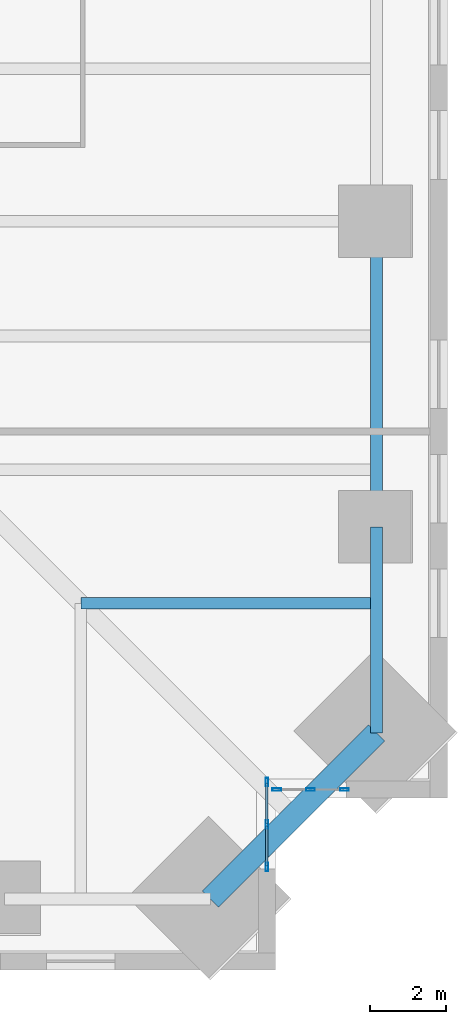
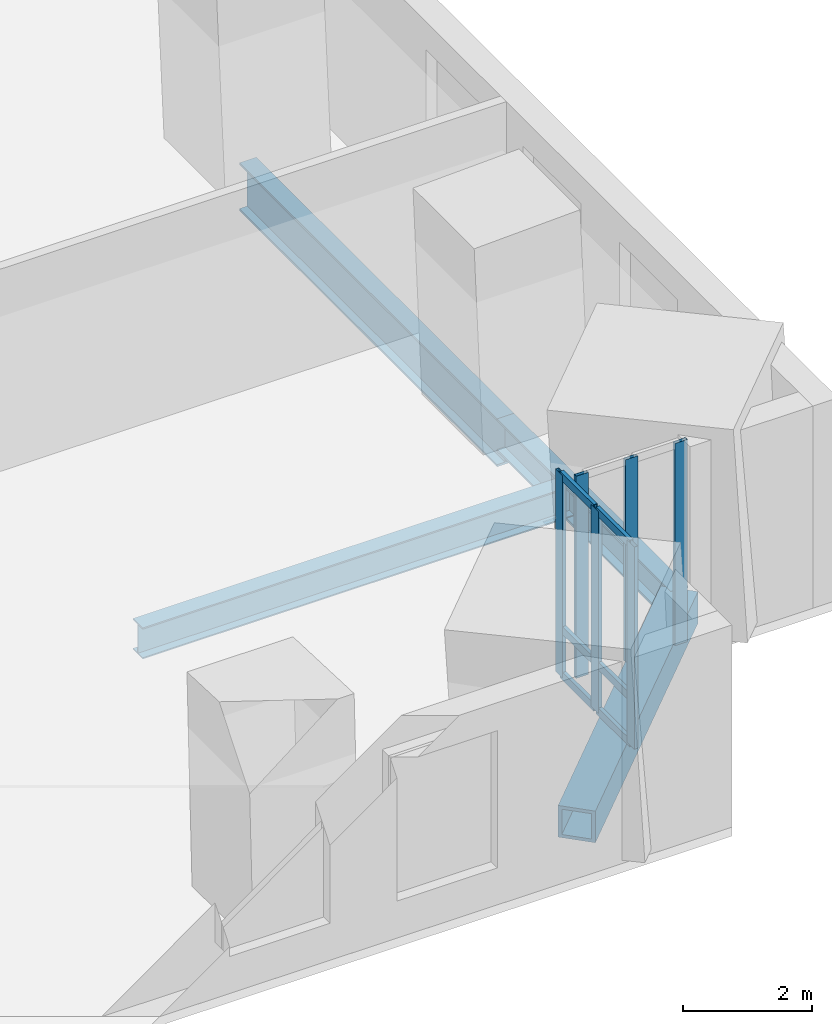
# One storey, part 4 of 16: 12 members, 4 beams, 2 elements without a shape of their own.
"""IFC4 building model written with IfcOpenShell, lengths in metres."""

from ifc_helpers import new_model, si_unit, direction, frame, origin, origin_2d, place, context, subcontext, project, spatial, hollow_rectangle, i_section, extrude, material, material_profile, profile_set, type_object, element, aggregate, save


model = new_model("IFC4")

# Units and contexts
model_context = context("Model", 3, precision=1e-05, world=origin(), true_north=direction((0.0, 1.0)))
body_context = subcontext(model_context, "Body", "Model", "MODEL_VIEW")
ifc_project = project(units=[si_unit("LENGTHUNIT", "METRE"), si_unit("AREAUNIT", "SQUARE_METRE"), si_unit("VOLUMEUNIT", "CUBIC_METRE"), si_unit("PLANEANGLEUNIT", "RADIAN"), si_unit("MASSUNIT", "GRAM", prefix="KILO")], contexts=[model_context])

# Site, building, storey
site_placement = place(None, origin())
site = spatial("IfcSite", under=ifc_project, at=site_placement, CompositionType="ELEMENT")
building_placement = place(site_placement, origin())
building = spatial("IfcBuilding", under=site, at=building_placement, Name="Peilmerk Tower", CompositionType="ELEMENT")
storey_placement = place(building_placement, frame((0.0, 0.0, 127.800048828125)))
storey = spatial("IfcBuildingStorey", under=building, at=storey_placement, Name="L25", CompositionType="ELEMENT", Elevation=127.800048828125)

# Beams
ifc_material_1 = material(Name="Steel S355", Category="steel")
ifc_material_profile_1 = material_profile(ifc_material_1, i_section(OverallWidth=0.302001953125, OverallDepth=0.909912109375, WebThickness=0.02099609375, FlangeThickness=0.0400390625, at=origin_2d()), Name="HEM 900")
ifc_profile_set_1 = profile_set([ifc_material_profile_1], Name="Steel S355")
beam_type_1 = type_object("IfcBeamType", Name="B2 HEM 900 edge beam", PredefinedType="SPANDREL", material=ifc_profile_set_1)
beam_1_placement = place(storey_placement, frame((25.74365234375, -16.0, -0.625), z_axis=(0.0, 1.0, 0.0), x_axis=(-1.0, 0.0, 0.0)))
element("IfcBeam", 1, at=beam_1_placement, inside=storey, type_object=beam_type_1, Name="Edge beam L25", PredefinedType="SPANDREL", context=body_context, shape_type="SweptSolid", body=[
    extrude(i_section(OverallWidth=0.302001953125, OverallDepth=0.909912109375, WebThickness=0.02099609375, FlangeThickness=0.0400390625, at=origin_2d()), origin(), (0.0, 0.0, 1.0), 8.0),
])
ifc_material_2 = material(Name="Steel S460", Category="steel")
ifc_material_profile_2 = material_profile(ifc_material_2, hollow_rectangle(XDim=0.60009765625, YDim=0.60009765625, WallThickness=0.06005859375, at=origin_2d()), Name="BOX 600x600x60")
ifc_profile_set_2 = profile_set([ifc_material_profile_2], Name="Steel S460")
beam_type_2 = type_object("IfcBeamType", Name="B20 BOX 600x600x60 notch beam", PredefinedType="SPANDREL", material=ifc_profile_set_2)
beam_2_placement = place(storey_placement, frame((25.74365234375, -21.3935546875, -0.469970703125), z_axis=(-0.707106781187, -0.707106781187, 0.0), x_axis=(0.707106781187, -0.707106781187, 0.0)))
element("IfcBeam", 2, at=beam_2_placement, inside=storey, type_object=beam_type_2, Name="Notch beam L25", PredefinedType="SPANDREL", context=body_context, shape_type="SweptSolid", body=[
    extrude(hollow_rectangle(XDim=0.60009765625, YDim=0.60009765625, WallThickness=0.06005859375, at=origin_2d()), origin(), (0.0, 0.0, 1.0), 6.15185546875),
])
ifc_material_profile_3 = material_profile(ifc_material_1, i_section(OverallWidth=0.300048828125, OverallDepth=0.590087890625, WebThickness=0.012939453125, FlangeThickness=0.02490234375, at=origin_2d()), Name="HEA 600")
ifc_profile_set_3 = profile_set([ifc_material_profile_3], Name="Steel S355")
beam_type_3 = type_object("IfcBeamType", Name="B27 HEA 600 floor beam", PredefinedType="BEAM", material=ifc_profile_set_3)
beam_3_placement = place(storey_placement, frame((18.0, -18.0, -0.465087890625), z_axis=(1.0, 0.0, 0.0), x_axis=(0.0, 1.0, 0.0)))
element("IfcBeam", 3, at=beam_3_placement, inside=storey, type_object=beam_type_3, Name="Floor beam L25", PredefinedType="BEAM", context=body_context, shape_type="SweptSolid", body=[
    extrude(i_section(OverallWidth=0.300048828125, OverallDepth=0.590087890625, WebThickness=0.012939453125, FlangeThickness=0.02490234375, at=origin_2d()), origin(), (0.0, 0.0, 1.0), 7.74365234375),
])
ifc_material_profile_4 = material_profile(ifc_material_1, i_section(OverallWidth=0.304931640625, OverallDepth=0.6201171875, WebThickness=0.02099609375, FlangeThickness=0.0400390625, at=origin_2d()), Name="HEM 600")
ifc_profile_set_4 = profile_set([ifc_material_profile_4], Name="Steel S355")
beam_type_4 = type_object("IfcBeamType", Name="B31 HEM 600 edge beam", PredefinedType="SPANDREL", material=ifc_profile_set_4)
beam_4_placement = place(storey_placement, frame((25.74365234375, -21.3935546875, -0.47998046875), z_axis=(0.0, 1.0, 0.0), x_axis=(-1.0, 0.0, 0.0)))
element("IfcBeam", 4, at=beam_4_placement, inside=storey, type_object=beam_type_4, Name="Edge beam L25", PredefinedType="SPANDREL", context=body_context, shape_type="SweptSolid", body=[
    extrude(i_section(OverallWidth=0.304931640625, OverallDepth=0.6201171875, WebThickness=0.02099609375, FlangeThickness=0.0400390625, at=origin_2d()), origin(), (0.0, 0.0, 1.0), 5.3935546875),
])

# Curtain wall, members
ifc_material_3 = material(Name="Aluminium stick curtain wall", Category="aluminium")
curtain_wall_type = type_object("IfcCurtainWallType", Name="CW3 stick curtain wall, 2250 module", PredefinedType="NOTDEFINED", material=ifc_material_3)
curtain_wall_1_placement = place(storey_placement, origin())
curtain_wall_1 = element("IfcCurtainWall", 5, at=curtain_wall_1_placement, inside=storey, type_object=curtain_wall_type, Name="Curtain wall CW3 SEA L25", PredefinedType="NOTDEFINED")
ifc_material_4 = material(Name="Aluminium EN AW-6063 T6", Category="aluminium")
ifc_material_profile_5 = material_profile(ifc_material_4, hollow_rectangle(XDim=0.06494140625, YDim=0.22509765625, WallThickness=0.00390625, at=origin_2d()), Name="AL 225x65x4")
ifc_profile_set_5 = profile_set([ifc_material_profile_5], Name="Aluminium EN AW-6063 T6")
member_type_1 = type_object("IfcMemberType", Name="CW3-M AL 225x65x4 mullion", PredefinedType="MULLION", material=ifc_profile_set_5)
member_1_placement = place(storey_placement, frame((22.875, -22.6826171875, 0.0), z_axis=(0.0, 0.0, 1.0), x_axis=(1.0, 0.0, 0.0)))
member_1 = element("IfcMember", 6, at=member_1_placement, type_object=member_type_1, Name="CW3 mullion 1", PredefinedType="MULLION", context=body_context, shape_type="SweptSolid", body=[
    extrude(hollow_rectangle(XDim=0.06494140625, YDim=0.22509765625, WallThickness=0.00390625, at=origin_2d()), origin(), (0.0, 0.0, 1.0), 3.829833984375),
])
member_2_placement = place(storey_placement, frame((22.875, -23.79443359375, 0.0), z_axis=(0.0, 0.0, 1.0), x_axis=(1.0, 0.0, 0.0)))
member_2 = element("IfcMember", 7, at=member_2_placement, type_object=member_type_1, Name="CW3 mullion 2", PredefinedType="MULLION", context=body_context, shape_type="SweptSolid", body=[
    extrude(hollow_rectangle(XDim=0.06494140625, YDim=0.22509765625, WallThickness=0.00390625, at=origin_2d()), origin(), (0.0, 0.0, 1.0), 3.829833984375),
])
member_3_placement = place(storey_placement, frame((22.875, -24.90625, 0.0), z_axis=(0.0, 0.0, 1.0), x_axis=(1.0, 0.0, 0.0)))
member_3 = element("IfcMember", 8, at=member_3_placement, type_object=member_type_1, Name="CW3 mullion 3", PredefinedType="MULLION", context=body_context, shape_type="SweptSolid", body=[
    extrude(hollow_rectangle(XDim=0.06494140625, YDim=0.22509765625, WallThickness=0.00390625, at=origin_2d()), origin(), (0.0, 0.0, 1.0), 3.829833984375),
])

curtain_wall_2_placement = place(storey_placement, origin())
curtain_wall_2 = element("IfcCurtainWall", 9, at=curtain_wall_2_placement, inside=storey, type_object=curtain_wall_type, Name="Curtain wall CW3 SEB L25", PredefinedType="NOTDEFINED")
member_4_placement = place(storey_placement, frame((23.132568359375, -22.875, 0.0), z_axis=(0.0, 0.0, 1.0), x_axis=(0.0, 1.0, 0.0)))
member_4 = element("IfcMember", 10, at=member_4_placement, type_object=member_type_1, Name="CW3 mullion 1", PredefinedType="MULLION", context=body_context, shape_type="SweptSolid", body=[
    extrude(hollow_rectangle(XDim=0.06494140625, YDim=0.22509765625, WallThickness=0.00390625, at=origin_2d()), origin(), (0.0, 0.0, 1.0), 3.829833984375),
])
member_5_placement = place(storey_placement, frame((24.019287109375, -22.875, 0.0), z_axis=(0.0, 0.0, 1.0), x_axis=(0.0, 1.0, 0.0)))
member_5 = element("IfcMember", 11, at=member_5_placement, type_object=member_type_1, Name="CW3 mullion 2", PredefinedType="MULLION", context=body_context, shape_type="SweptSolid", body=[
    extrude(hollow_rectangle(XDim=0.06494140625, YDim=0.22509765625, WallThickness=0.00390625, at=origin_2d()), origin(), (0.0, 0.0, 1.0), 3.829833984375),
])
member_6_placement = place(storey_placement, frame((24.90625, -22.875, 0.0), z_axis=(0.0, 0.0, 1.0), x_axis=(0.0, 1.0, 0.0)))
member_6 = element("IfcMember", 12, at=member_6_placement, type_object=member_type_1, Name="CW3 mullion 3", PredefinedType="MULLION", context=body_context, shape_type="SweptSolid", body=[
    extrude(hollow_rectangle(XDim=0.06494140625, YDim=0.22509765625, WallThickness=0.00390625, at=origin_2d()), origin(), (0.0, 0.0, 1.0), 3.829833984375),
])
aggregate(curtain_wall_2, [member_4, member_5, member_6])

# Member
ifc_material_profile_6 = material_profile(ifc_material_4, hollow_rectangle(XDim=0.06494140625, YDim=0.14990234375, WallThickness=0.0029296875, at=origin_2d()), Name="AL 150x65x3")
ifc_profile_set_6 = profile_set([ifc_material_profile_6], Name="Aluminium EN AW-6063 T6")
member_type_2 = type_object("IfcMemberType", Name="CW3-T AL 150x65x3 transom", PredefinedType="USERDEFINED", material=ifc_profile_set_6)
member_7_placement = place(storey_placement, frame((22.875, -22.715087890625, 0.032470703125), z_axis=(0.0, -1.0, 0.0), x_axis=(1.0, 0.0, 0.0)))
member_7 = element("IfcMember", 13, at=member_7_placement, type_object=member_type_2, Name="CW3 transom 1.1", ObjectType="TRANSOM", PredefinedType="USERDEFINED", context=body_context, shape_type="SweptSolid", body=[
    extrude(hollow_rectangle(XDim=0.06494140625, YDim=0.14990234375, WallThickness=0.0029296875, at=origin_2d()), origin(), (0.0, 0.0, 1.0), 1.046630859375),
])

member_8_placement = place(storey_placement, frame((22.875, -22.715087890625, 0.89990234375), z_axis=(0.0, -1.0, 0.0), x_axis=(1.0, 0.0, 0.0)))
member_8 = element("IfcMember", 14, at=member_8_placement, type_object=member_type_2, Name="CW3 transom 1.2", ObjectType="TRANSOM", PredefinedType="USERDEFINED", context=body_context, shape_type="SweptSolid", body=[
    extrude(hollow_rectangle(XDim=0.06494140625, YDim=0.14990234375, WallThickness=0.0029296875, at=origin_2d()), origin(), (0.0, 0.0, 1.0), 1.046630859375),
])

member_9_placement = place(storey_placement, frame((22.875, -22.715087890625, 3.79736328125), z_axis=(0.0, -1.0, 0.0), x_axis=(1.0, 0.0, 0.0)))
member_9 = element("IfcMember", 15, at=member_9_placement, type_object=member_type_2, Name="CW3 transom 1.3", ObjectType="TRANSOM", PredefinedType="USERDEFINED", context=body_context, shape_type="SweptSolid", body=[
    extrude(hollow_rectangle(XDim=0.06494140625, YDim=0.14990234375, WallThickness=0.0029296875, at=origin_2d()), origin(), (0.0, 0.0, 1.0), 1.046630859375),
])

member_10_placement = place(storey_placement, frame((22.875, -23.826904296875, 0.032470703125), z_axis=(0.0, -1.0, 0.0), x_axis=(1.0, 0.0, 0.0)))
member_10 = element("IfcMember", 16, at=member_10_placement, type_object=member_type_2, Name="CW3 transom 2.1", ObjectType="TRANSOM", PredefinedType="USERDEFINED", context=body_context, shape_type="SweptSolid", body=[
    extrude(hollow_rectangle(XDim=0.06494140625, YDim=0.14990234375, WallThickness=0.0029296875, at=origin_2d()), origin(), (0.0, 0.0, 1.0), 1.046875),
])

member_11_placement = place(storey_placement, frame((22.875, -23.826904296875, 0.89990234375), z_axis=(0.0, -1.0, 0.0), x_axis=(1.0, 0.0, 0.0)))
member_11 = element("IfcMember", 17, at=member_11_placement, type_object=member_type_2, Name="CW3 transom 2.2", ObjectType="TRANSOM", PredefinedType="USERDEFINED", context=body_context, shape_type="SweptSolid", body=[
    extrude(hollow_rectangle(XDim=0.06494140625, YDim=0.14990234375, WallThickness=0.0029296875, at=origin_2d()), origin(), (0.0, 0.0, 1.0), 1.046875),
])

member_12_placement = place(storey_placement, frame((22.875, -23.826904296875, 3.79736328125), z_axis=(0.0, -1.0, 0.0), x_axis=(1.0, 0.0, 0.0)))
member_12 = element("IfcMember", 18, at=member_12_placement, type_object=member_type_2, Name="CW3 transom 2.3", ObjectType="TRANSOM", PredefinedType="USERDEFINED", context=body_context, shape_type="SweptSolid", body=[
    extrude(hollow_rectangle(XDim=0.06494140625, YDim=0.14990234375, WallThickness=0.0029296875, at=origin_2d()), origin(), (0.0, 0.0, 1.0), 1.046875),
])

aggregate(curtain_wall_1, [member_1, member_2, member_3, member_7, member_8, member_9, member_10, member_11, member_12])

save(model, "model.ifc")
